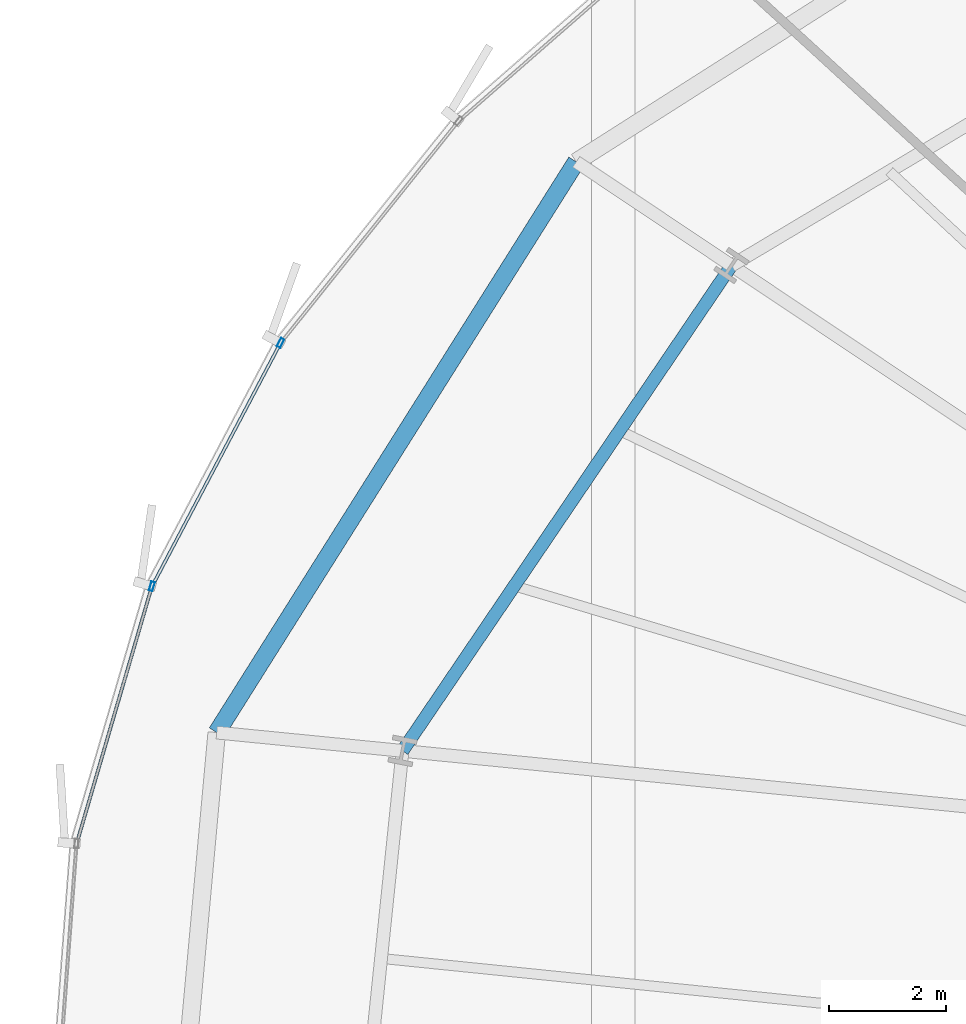
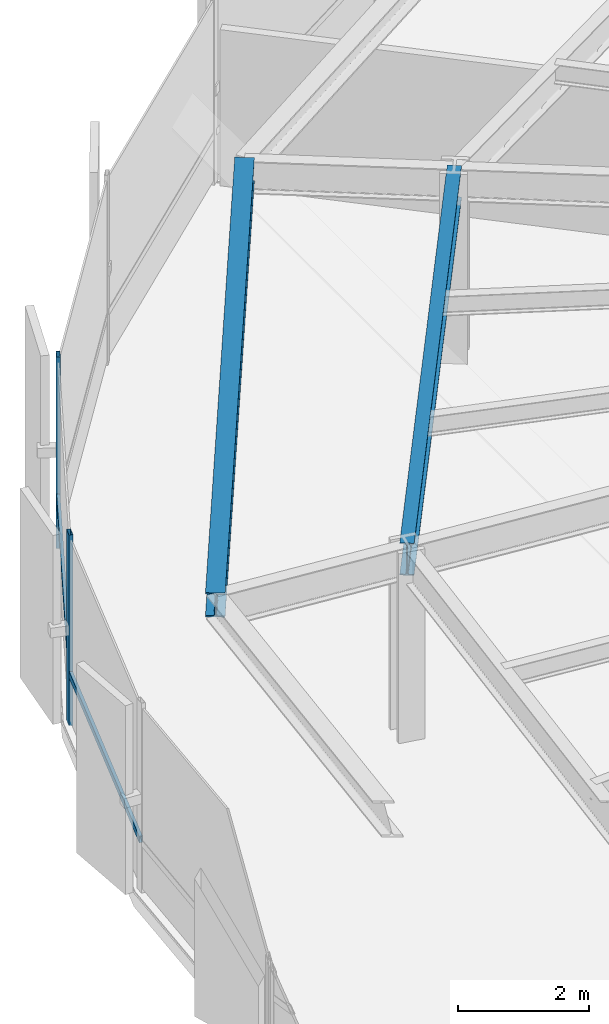
# One storey, part 20 of 42: 4 members, 2 beams, 1 element without a shape of its own.
"""IFC4 building model written with IfcOpenShell, lengths in metres."""

from ifc_helpers import new_model, si_unit, direction, frame, origin, origin_2d, place, context, subcontext, project, spatial, hollow_rectangle, i_section, extrude, source, transform, mapped, material, layer, layer_set, material_profile, profile_set, type_object, element, aggregate, save


model = new_model("IFC4")

# Units and contexts
model_context = context("Model", 3, precision=1e-05, world=origin(), true_north=direction((0.0, 1.0)))
body_context = subcontext(model_context, "Body", "Model", "MODEL_VIEW")
ifc_project = project(units=[si_unit("LENGTHUNIT", "METRE"), si_unit("AREAUNIT", "SQUARE_METRE"), si_unit("VOLUMEUNIT", "CUBIC_METRE"), si_unit("PLANEANGLEUNIT", "RADIAN"), si_unit("MASSUNIT", "GRAM", prefix="KILO"), si_unit("THERMODYNAMICTEMPERATUREUNIT", "KELVIN")], contexts=[model_context])

# Site, building, storey
site_placement = place(None, origin())
site = spatial("IfcSite", under=ifc_project, at=site_placement, CompositionType="ELEMENT")
building_placement = place(site_placement, origin())
building = spatial("IfcBuilding", under=site, at=building_placement, Name="Kethvar Cultural Tower", CompositionType="ELEMENT")
storey_placement = place(building_placement, frame((0.0, 0.0, 37.199951171875)))
storey = spatial("IfcBuildingStorey", under=building, at=storey_placement, Name="L08", CompositionType="ELEMENT", Elevation=37.199951171875)

# Beams
ifc_material_1 = material(Name="Steel S355J2", Category="steel")
ifc_material_profile_1 = material_profile(ifc_material_1, i_section(OverallWidth=0.219970703125, OverallDepth=0.60009765625, WebThickness=0.011962890625, FlangeThickness=0.01904296875, FilletRadius=0.02392578125, at=origin_2d()), Name="Steel S355J2 — IPE600")
ifc_profile_set_1 = profile_set([ifc_material_profile_1], Name="Steel S355J2 — IPE600")
beam_type_1 = type_object("IfcBeamType", Name="BM-IPE600", PredefinedType="BEAM", material=ifc_profile_set_1)
shared_shape_1 = source(origin(), body_context, "Body", "SweptSolid", [
    extrude(i_section(OverallWidth=0.219970703125, OverallDepth=0.60009765625, WebThickness=0.011962890625, FlangeThickness=0.01904296875, FilletRadius=0.02392578125, at=origin_2d()), origin(), (0.0, 0.0, 1.0), 10.048583984375),
])
beam_1_placement = place(storey_placement, frame((26.6845703125, 41.24072265625, 3.248046875), z_axis=(-0.561025415443, -0.827798576483, 0.0), x_axis=(0.827798576483, -0.561025415443, 0.0)))
element("IfcBeam", 1, at=beam_1_placement, inside=storey, type_object=beam_type_1, Name="L08 Column Ring Tie Beam CR-07", PredefinedType="BEAM", context=body_context, shape_type="MappedRepresentation", body=[
    mapped(shared_shape_1, transform((0.0, 0.0, 0.0), scale=1.0)),
])
ifc_material_profile_2 = material_profile(ifc_material_1, i_section(OverallWidth=0.300048828125, OverallDepth=0.449951171875, WebThickness=0.013916015625, FlangeThickness=0.02587890625, FilletRadius=0.027099609375, at=origin_2d()), Name="Steel S355J2 — HEB450")
ifc_profile_set_2 = profile_set([ifc_material_profile_2], Name="Steel S355J2 — HEB450")
beam_type_2 = type_object("IfcBeamType", Name="BM-SP450", PredefinedType="SPANDREL", material=ifc_profile_set_2)
shared_shape_2 = source(origin(), body_context, "Body", "SweptSolid", [
    extrude(i_section(OverallWidth=0.300048828125, OverallDepth=0.449951171875, WebThickness=0.013916015625, FlangeThickness=0.02587890625, FilletRadius=0.027099609375, at=origin_2d()), origin(), (0.0, 0.0, 1.0), 11.560546875),
])
beam_2_placement = place(storey_placement, frame((24.02392578125, 43.0185546875, 3.322998046875), z_axis=(-0.532968413488, -0.846135137093, 0.0), x_axis=(0.846135137093, -0.532968413488, 0.0)))
element("IfcBeam", 2, at=beam_2_placement, inside=storey, type_object=beam_type_2, Name="L08 Perimeter Spandrel Beam SP-07", PredefinedType="SPANDREL", context=body_context, shape_type="MappedRepresentation", body=[
    mapped(shared_shape_2, transform((0.0, 0.0, 0.0), scale=1.0)),
])

# Curtain wall, members
ifc_material_2 = material(Name="Aluminium 6063-T6", Category="aluminium")
ifc_layer = layer(ifc_material_2, 0.179931640625, Name="Aluminium 6063-T6", Category="aluminium")
ifc_layer_set = layer_set([ifc_layer], Name="Aluminium 6063-T6 (180 mm)")
curtain_wall_type = type_object("IfcCurtainWallType", Name="CW-SYS-02-Z1", PredefinedType="NOTDEFINED", material=ifc_layer_set)
curtain_wall_placement = place(storey_placement, origin())
curtain_wall = element("IfcCurtainWall", 3, at=curtain_wall_placement, inside=storey, type_object=curtain_wall_type, Name="L08 Curtain Wall Run 03", PredefinedType="NOTDEFINED")
ifc_material_profile_3 = material_profile(ifc_material_2, hollow_rectangle(XDim=0.06494140625, YDim=0.159912109375, WallThickness=0.0048828125, at=origin_2d()), Name="Aluminium 6063-T6 — RHS160x65x5")
ifc_profile_set_3 = profile_set([ifc_material_profile_3], Name="Aluminium 6063-T6 — RHS160x65x5")
member_type_1 = type_object("IfcMemberType", Name="CW-SYS-02-Z1-MUL", PredefinedType="MULLION", material=ifc_profile_set_3)
shared_shape_3 = source(origin(), body_context, "Body", "SweptSolid", [
    extrude(hollow_rectangle(XDim=0.06494140625, YDim=0.159912109375, WallThickness=0.0048828125, at=origin_2d()), origin(), (0.0, 0.0, 1.0), 3.550048828125),
])
member_1_placement = place(storey_placement, frame((18.9560546875, 39.913330078125, 0.0), z_axis=(0.0, 0.0, 1.0), x_axis=(0.884312209088, -0.466896045022, 0.0)))
member_1 = element("IfcMember", 4, at=member_1_placement, type_object=member_type_1, Name="CW-L08-R03 Mullion 4", PredefinedType="MULLION", context=body_context, shape_type="MappedRepresentation", body=[
    mapped(shared_shape_3, transform((0.0, 0.0, 0.0), scale=1.0)),
])
member_2_placement = place(storey_placement, frame((16.751953125, 35.743408203125, 0.0), z_axis=(0.0, 0.0, 1.0), x_axis=(0.959800393271, -0.280683460641, 0.0)))
member_2 = element("IfcMember", 5, at=member_2_placement, type_object=member_type_1, Name="CW-L08-R03 Mullion 5", PredefinedType="MULLION", context=body_context, shape_type="MappedRepresentation", body=[
    mapped(shared_shape_3, transform((0.0, 0.0, 0.0), scale=1.0)),
])
ifc_material_profile_4 = material_profile(ifc_material_2, hollow_rectangle(XDim=0.054931640625, YDim=0.1201171875, WallThickness=0.00390625, at=origin_2d()), Name="Aluminium 6063-T6 — RHS120x55x4")
ifc_profile_set_4 = profile_set([ifc_material_profile_4], Name="Aluminium 6063-T6 — RHS120x55x4")
member_type_2 = type_object("IfcMemberType", Name="CW-SYS-02-Z1-TRN", PredefinedType="USERDEFINED", material=ifc_profile_set_4)
shared_shape_4 = source(origin(), body_context, "Body", "SweptSolid", [
    extrude(hollow_rectangle(XDim=0.054931640625, YDim=0.1201171875, WallThickness=0.00390625, at=origin_2d()), origin(), (0.0, 0.0, 1.0), 4.646728515625),
])
member_3_placement = place(storey_placement, frame((18.934326171875, 39.871826171875, 0.949951171875), z_axis=(-0.46692184351, -0.884298587613, 0.0), x_axis=(0.884298587613, -0.46692184351, 0.0)))
member_3 = element("IfcMember", 6, at=member_3_placement, type_object=member_type_2, Name="CW-L08-R03 Transom 4", ObjectType="TRANSOM", PredefinedType="USERDEFINED", context=body_context, shape_type="MappedRepresentation", body=[
    mapped(shared_shape_4, transform((0.0, 0.0, 0.0), scale=1.0)),
])
shared_shape_5 = source(origin(), body_context, "Body", "SweptSolid", [
    extrude(hollow_rectangle(XDim=0.054931640625, YDim=0.1201171875, WallThickness=0.00390625, at=origin_2d()), origin(), (0.0, 0.0, 1.0), 4.5263671875),
])
member_4_placement = place(storey_placement, frame((16.73876953125, 35.698486328125, 0.949951171875), z_axis=(-0.28068548294, -0.959799801868, 0.0), x_axis=(0.959799801868, -0.28068548294, 0.0)))
member_4 = element("IfcMember", 7, at=member_4_placement, type_object=member_type_2, Name="CW-L08-R03 Transom 5", ObjectType="TRANSOM", PredefinedType="USERDEFINED", context=body_context, shape_type="MappedRepresentation", body=[
    mapped(shared_shape_5, transform((0.0, 0.0, 0.0), scale=1.0)),
])
aggregate(curtain_wall, [member_1, member_2, member_3, member_4])

save(model, "model.ifc")
